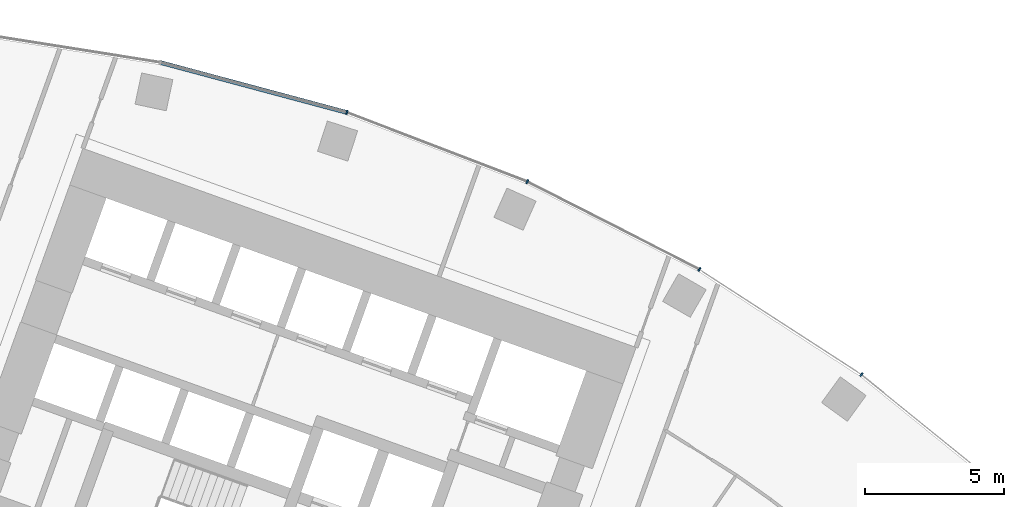
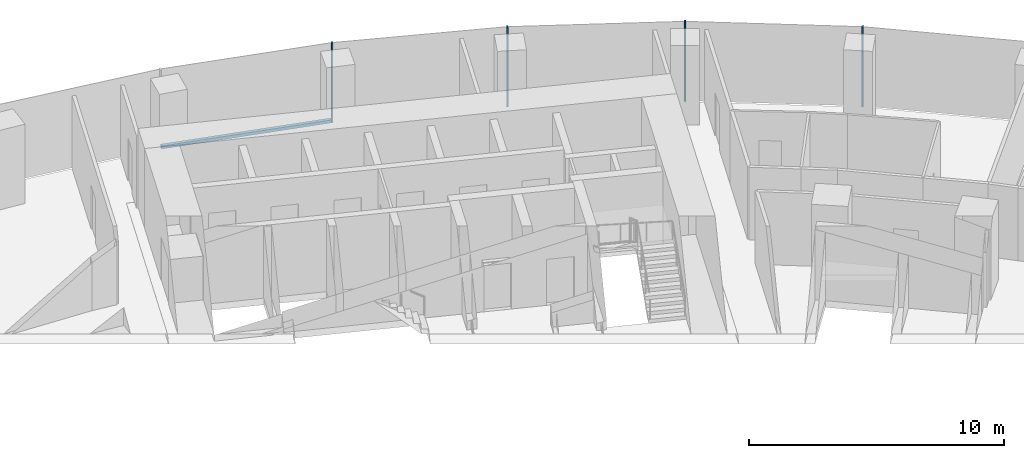
# One storey, part 10 of 21: 5 members, 1 element without a shape of its own.
"""IFC4 building model written with IfcOpenShell, lengths in metres."""

from ifc_helpers import new_model, si_unit, direction, frame, origin, origin_2d, place, context, subcontext, project, spatial, rectangle, extrude, material, layer, layer_set, material_profile, profile_set, type_object, element, aggregate, save


model = new_model("IFC4")

# Units and contexts
model_context = context("Model", 3, precision=1e-05, world=origin(), true_north=direction((0.0, 1.0)))
body_context = subcontext(model_context, "Body", "Model", "MODEL_VIEW")
ifc_project = project(units=[si_unit("LENGTHUNIT", "METRE"), si_unit("AREAUNIT", "SQUARE_METRE"), si_unit("VOLUMEUNIT", "CUBIC_METRE"), si_unit("PLANEANGLEUNIT", "RADIAN"), si_unit("MASSUNIT", "GRAM", prefix="KILO")], contexts=[model_context])

# Site, building, storey
site_placement = place(None, origin())
site = spatial("IfcSite", under=ifc_project, at=site_placement, CompositionType="ELEMENT")
building_placement = place(site_placement, origin())
building = spatial("IfcBuilding", under=site, at=building_placement, Name="Stone Belt Terrace Tower", CompositionType="ELEMENT")
storey_placement = place(building_placement, frame((0.0, 0.0, 117.39990234375)))
storey = spatial("IfcBuildingStorey", under=building, at=storey_placement, Name="L28", CompositionType="ELEMENT", Elevation=117.39990234375)

# Curtain wall, members
ifc_material = material(Name="Aluminium 6063-T6 anodised frame", Category="aluminium")
ifc_layer = layer(ifc_material, 0.14990234375)
ifc_layer_set = layer_set([ifc_layer], Name="CW-A unitised convex-face curtain wall")
curtain_wall_type = type_object("IfcCurtainWallType", Name="CW-A unitised convex-face curtain wall", PredefinedType="NOTDEFINED", material=ifc_layer_set)
curtain_wall_placement = place(storey_placement, origin())
curtain_wall = element("IfcCurtainWall", 1, at=curtain_wall_placement, inside=storey, type_object=curtain_wall_type, Name="CW-A convex face L28", PredefinedType="NOTDEFINED")
ifc_material_profile_1 = material_profile(ifc_material, rectangle(XDim=0.14990234375, YDim=0.06005859375, at=origin_2d()), Name="Aluminium 6063-T6 60x150")
ifc_profile_set_1 = profile_set([ifc_material_profile_1], Name="Aluminium 6063-T6 anodised frame")
member_type_1 = type_object("IfcMemberType", Name="CW-A mullion 60 x 150", PredefinedType="MULLION", material=ifc_profile_set_1)
member_1_placement = place(storey_placement, frame((39.1318359375, 53.8603515625, 0.0), z_axis=(0.0, 0.0, 1.0), x_axis=(-0.587785252292, -0.809016994375, 0.0)))
member_1 = element("IfcMember", 2, at=member_1_placement, type_object=member_type_1, Name="CW-A mullion 4", PredefinedType="MULLION", context=body_context, shape_type="SweptSolid", body=[
    extrude(rectangle(XDim=0.14990234375, YDim=0.06005859375, at=origin_2d()), origin(), (0.0, 0.0, 1.0), 3.800048828125),
])
member_2_placement = place(storey_placement, frame((33.28759765625, 57.65576171875, 0.0), z_axis=(0.0, 0.0, 1.0), x_axis=(-0.5, -0.866025403784, 0.0)))
member_2 = element("IfcMember", 3, at=member_2_placement, type_object=member_type_1, Name="CW-A mullion 5", PredefinedType="MULLION", context=body_context, shape_type="SweptSolid", body=[
    extrude(rectangle(XDim=0.14990234375, YDim=0.06005859375, at=origin_2d()), origin(), (0.0, 0.0, 1.0), 3.800048828125),
])
member_3_placement = place(storey_placement, frame((27.07861328125, 60.8193359375, 0.0), z_axis=(0.0, 0.0, 1.0), x_axis=(-0.406736643076, -0.913545457643, 0.0)))
member_3 = element("IfcMember", 4, at=member_3_placement, type_object=member_type_1, Name="CW-A mullion 6", PredefinedType="MULLION", context=body_context, shape_type="SweptSolid", body=[
    extrude(rectangle(XDim=0.14990234375, YDim=0.06005859375, at=origin_2d()), origin(), (0.0, 0.0, 1.0), 3.800048828125),
])
member_4_placement = place(storey_placement, frame((20.57275390625, 63.316650390625, 0.0), z_axis=(0.0, 0.0, 1.0), x_axis=(-0.309016994375, -0.951056516295, 0.0)))
member_4 = element("IfcMember", 5, at=member_4_placement, type_object=member_type_1, Name="CW-A mullion 7", PredefinedType="MULLION", context=body_context, shape_type="SweptSolid", body=[
    extrude(rectangle(XDim=0.14990234375, YDim=0.06005859375, at=origin_2d()), origin(), (0.0, 0.0, 1.0), 3.800048828125),
])
ifc_material_profile_2 = material_profile(ifc_material, rectangle(XDim=0.14990234375, YDim=0.139892578125, at=origin_2d()), Name="Aluminium 6063-T6 150x140")
ifc_profile_set_2 = profile_set([ifc_material_profile_2], Name="Aluminium 6063-T6 anodised frame")
member_type_2 = type_object("IfcMemberType", Name="CW-A transom 140 x 150", PredefinedType="USERDEFINED", material=ifc_profile_set_2)
member_5_placement = place(storey_placement, frame((20.5400390625, 63.325439453125, 0.070068359375), z_axis=(-0.965921835863, 0.258833937117, 0.0), x_axis=(-0.258833937117, -0.965921835863, 0.0)))
member_5 = element("IfcMember", 6, at=member_5_placement, type_object=member_type_2, Name="CW-A transom 7.1", ObjectType="TRANSOM", PredefinedType="USERDEFINED", context=body_context, shape_type="SweptSolid", body=[
    extrude(rectangle(XDim=0.14990234375, YDim=0.139892578125, at=origin_2d()), origin(), (0.0, 0.0, 1.0), 6.900634765625),
])
aggregate(curtain_wall, [member_1, member_2, member_3, member_4, member_5])

save(model, "model.ifc")
